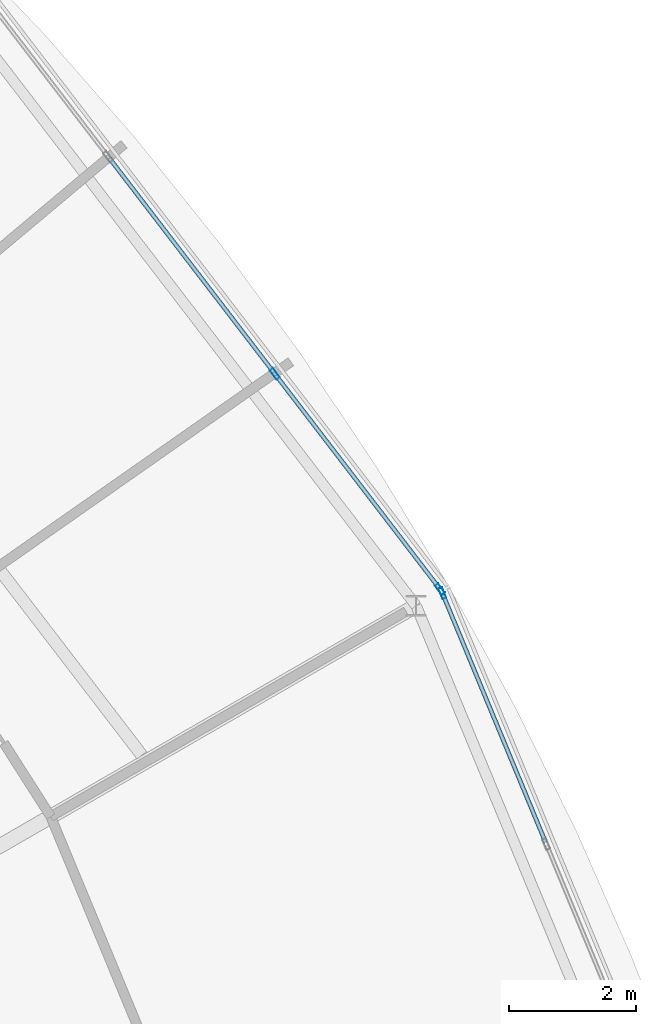
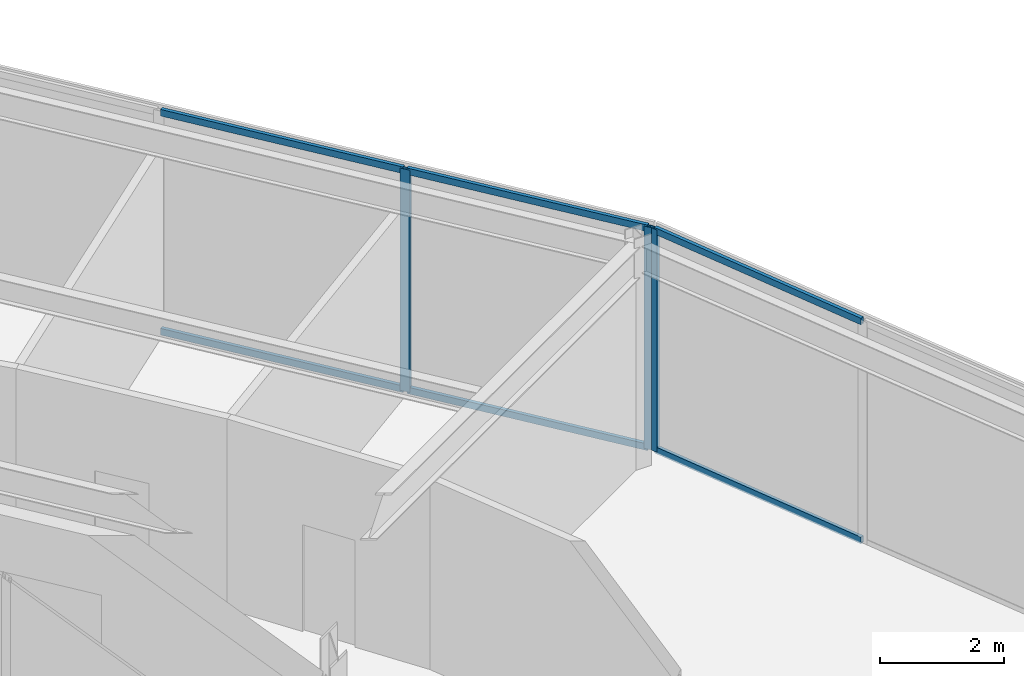
# One storey, part 71 of 133: 9 members, 2 elements without a shape of their own.
"""IFC4 building model written with IfcOpenShell, lengths in metres."""

from ifc_helpers import new_model, si_unit, direction, frame, origin, origin_2d, place, context, subcontext, project, spatial, hollow_rectangle, extrude, material, material_profile, profile_set, type_object, element, aggregate, save


model = new_model("IFC4")

# Units and contexts
model_context = context("Model", 3, precision=1e-05, world=origin(), true_north=direction((0.0, 1.0)))
body_context = subcontext(model_context, "Body", "Model", "MODEL_VIEW")
ifc_project = project(units=[si_unit("LENGTHUNIT", "METRE"), si_unit("AREAUNIT", "SQUARE_METRE"), si_unit("VOLUMEUNIT", "CUBIC_METRE"), si_unit("PLANEANGLEUNIT", "RADIAN"), si_unit("MASSUNIT", "GRAM", prefix="KILO")], contexts=[model_context])

# Site, building, storey
site_placement = place(None, origin())
site = spatial("IfcSite", under=ifc_project, at=site_placement, CompositionType="ELEMENT")
building_placement = place(site_placement, origin())
building = spatial("IfcBuilding", under=site, at=building_placement, Name="Almandine Court Research Institute", CompositionType="ELEMENT")
storey_placement = place(building_placement, frame((0.0, 0.0, 9.800048828125)))
storey = spatial("IfcBuildingStorey", under=building, at=storey_placement, Name="L02", CompositionType="ELEMENT", Elevation=9.800048828125)

# Curtain wall, member
ifc_material_1 = material(Name="Unitised Curtain Wall Framing and Solar Glazing", Category="glass")
curtain_wall_type = type_object("IfcCurtainWallType", Name="CW-CWJ-19", PredefinedType="USERDEFINED", material=ifc_material_1)
curtain_wall_1_placement = place(storey_placement, origin())
curtain_wall_1 = element("IfcCurtainWall", 1, at=curtain_wall_1_placement, inside=storey, type_object=curtain_wall_type, Name="L02 Stacked-Ring Drum Outer Solar Jali Screen 01", ObjectType="SOLAR JALI SCREEN", PredefinedType="USERDEFINED")
ifc_material_2 = material(Name="Anodised Aluminium AW-6063-T6", Category="aluminium")
ifc_material_profile_1 = material_profile(ifc_material_2, hollow_rectangle(XDim=0.06494140625, YDim=0.179931640625, WallThickness=0.00390625, at=origin_2d()), Name="ALU RHS 65x180x4")
ifc_profile_set_1 = profile_set([ifc_material_profile_1], Name="Anodised Aluminium AW-6063-T6")
member_type_1 = type_object("IfcMemberType", Name="CWMul-65x180", PredefinedType="MULLION", material=ifc_profile_set_1)
member_1_placement = place(storey_placement, frame((129.761474609375, 80.64697265625, 0.0), z_axis=(0.0, 0.0, 1.0), x_axis=(0.923888124321, 0.382662689242, 0.0)))
member_1 = element("IfcMember", 2, at=member_1_placement, type_object=member_type_1, Name="CWJ-19 mullion 1", PredefinedType="MULLION", context=body_context, shape_type="SweptSolid", body=[
    extrude(hollow_rectangle(XDim=0.06494140625, YDim=0.179931640625, WallThickness=0.00390625, at=origin_2d()), origin(), (0.0, 0.0, 1.0), 4.369873046875),
])

# Curtain wall, members
curtain_wall_2_placement = place(storey_placement, origin())
curtain_wall_2 = element("IfcCurtainWall", 3, at=curtain_wall_2_placement, inside=storey, type_object=curtain_wall_type, Name="L02 Stacked-Ring Drum Outer Solar Jali Screen 02", ObjectType="SOLAR JALI SCREEN", PredefinedType="USERDEFINED")
member_2_placement = place(storey_placement, frame((127.132080078125, 84.088623046875, 0.0), z_axis=(0.0, 0.0, 1.0), x_axis=(0.793382586046, 0.608723313303, 0.0)))
member_2 = element("IfcMember", 4, at=member_2_placement, type_object=member_type_1, Name="CWJ-19 mullion 3", PredefinedType="MULLION", context=body_context, shape_type="SweptSolid", body=[
    extrude(hollow_rectangle(XDim=0.06494140625, YDim=0.179931640625, WallThickness=0.00390625, at=origin_2d()), origin(), (0.0, 0.0, 1.0), 4.369873046875),
])
member_3_placement = place(storey_placement, frame((129.72509765625, 80.708740234375, 0.0), z_axis=(0.0, 0.0, 1.0), x_axis=(0.793382586046, 0.608723313303, 0.0)))
member_3 = element("IfcMember", 5, at=member_3_placement, type_object=member_type_1, Name="CWJ-19 mullion 4", PredefinedType="MULLION", context=body_context, shape_type="SweptSolid", body=[
    extrude(hollow_rectangle(XDim=0.06494140625, YDim=0.179931640625, WallThickness=0.00390625, at=origin_2d()), origin(), (0.0, 0.0, 1.0), 4.369873046875),
])

# Member
ifc_material_profile_2 = material_profile(ifc_material_2, hollow_rectangle(XDim=0.06494140625, YDim=0.1298828125, WallThickness=0.00390625, at=origin_2d()), Name="ALU RHS 65x130x4")
ifc_profile_set_2 = profile_set([ifc_material_profile_2], Name="Anodised Aluminium AW-6063-T6")
member_type_2 = type_object("IfcMemberType", Name="CWTrn-65x130", PredefinedType="NOTDEFINED", material=ifc_profile_set_2)
member_4_placement = place(storey_placement, frame((129.77392578125, 80.616943359375, 0.032470703125), z_axis=(0.382631051398, -0.923901227679, 0.0), x_axis=(0.923901227679, 0.382631051398, 0.0)))
member_4 = element("IfcMember", 6, at=member_4_placement, type_object=member_type_2, Name="CWJ-19 transom 1.1", ObjectType="TRANSOM", PredefinedType="USERDEFINED", context=body_context, shape_type="SweptSolid", body=[
    extrude(hollow_rectangle(XDim=0.06494140625, YDim=0.1298828125, WallThickness=0.00390625, at=origin_2d()), origin(), (0.0, 0.0, 1.0), 4.1953125),
])

member_5_placement = place(storey_placement, frame((129.77392578125, 80.616943359375, 4.33740234375), z_axis=(0.382631051398, -0.923901227679, 0.0), x_axis=(0.923901227679, 0.382631051398, 0.0)))
member_5 = element("IfcMember", 7, at=member_5_placement, type_object=member_type_2, Name="CWJ-19 transom 1.2", ObjectType="TRANSOM", PredefinedType="USERDEFINED", context=body_context, shape_type="SweptSolid", body=[
    extrude(hollow_rectangle(XDim=0.06494140625, YDim=0.1298828125, WallThickness=0.00390625, at=origin_2d()), origin(), (0.0, 0.0, 1.0), 4.1953125),
])

aggregate(curtain_wall_1, [member_1, member_4, member_5])

member_6_placement = place(storey_placement, frame((124.538818359375, 87.468505859375, 0.032470703125), z_axis=(0.608741867566, -0.793368349931, 0.0), x_axis=(0.793368349931, 0.608741867566, 0.0)))
member_6 = element("IfcMember", 8, at=member_6_placement, type_object=member_type_2, Name="CWJ-19 transom 2.1", ObjectType="TRANSOM", PredefinedType="USERDEFINED", context=body_context, shape_type="SweptSolid", body=[
    extrude(hollow_rectangle(XDim=0.06494140625, YDim=0.1298828125, WallThickness=0.00390625, at=origin_2d()), origin(), (0.0, 0.0, 1.0), 4.2275390625),
])

member_7_placement = place(storey_placement, frame((124.538818359375, 87.468505859375, 4.33740234375), z_axis=(0.608741867566, -0.793368349931, 0.0), x_axis=(0.793368349931, 0.608741867566, 0.0)))
member_7 = element("IfcMember", 9, at=member_7_placement, type_object=member_type_2, Name="CWJ-19 transom 2.2", ObjectType="TRANSOM", PredefinedType="USERDEFINED", context=body_context, shape_type="SweptSolid", body=[
    extrude(hollow_rectangle(XDim=0.06494140625, YDim=0.1298828125, WallThickness=0.00390625, at=origin_2d()), origin(), (0.0, 0.0, 1.0), 4.2275390625),
])

member_8_placement = place(storey_placement, frame((127.15185546875, 84.06298828125, 0.032470703125), z_axis=(0.608689308041, -0.793408675449, 0.0), x_axis=(0.793408675449, 0.608689308041, 0.0)))
member_8 = element("IfcMember", 10, at=member_8_placement, type_object=member_type_2, Name="CWJ-19 transom 3.1", ObjectType="TRANSOM", PredefinedType="USERDEFINED", context=body_context, shape_type="SweptSolid", body=[
    extrude(hollow_rectangle(XDim=0.06494140625, YDim=0.1298828125, WallThickness=0.00390625, at=origin_2d()), origin(), (0.0, 0.0, 1.0), 4.195068359375),
])

member_9_placement = place(storey_placement, frame((127.15185546875, 84.06298828125, 4.33740234375), z_axis=(0.608689308041, -0.793408675449, 0.0), x_axis=(0.793408675449, 0.608689308041, 0.0)))
member_9 = element("IfcMember", 11, at=member_9_placement, type_object=member_type_2, Name="CWJ-19 transom 3.2", ObjectType="TRANSOM", PredefinedType="USERDEFINED", context=body_context, shape_type="SweptSolid", body=[
    extrude(hollow_rectangle(XDim=0.06494140625, YDim=0.1298828125, WallThickness=0.00390625, at=origin_2d()), origin(), (0.0, 0.0, 1.0), 4.195068359375),
])

aggregate(curtain_wall_2, [member_2, member_3, member_6, member_7, member_8, member_9])

save(model, "model.ifc")
